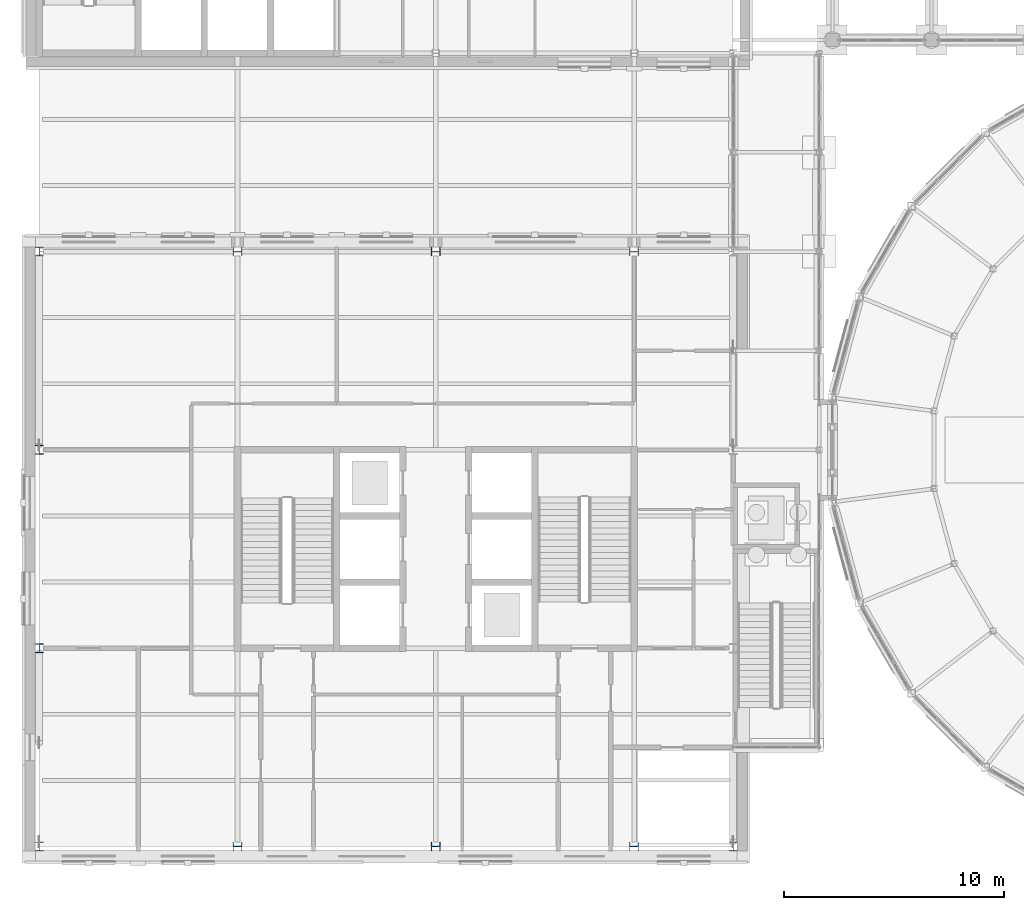
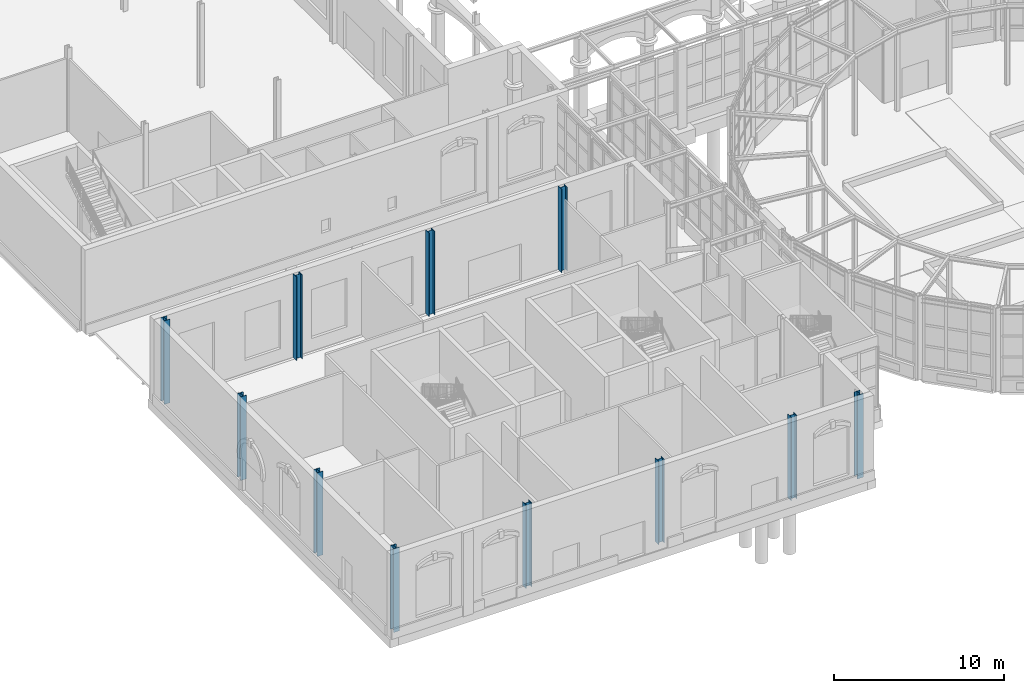
# One storey, part 6 of 106: 11 columns.
"""IFC4 building model written with IfcOpenShell, lengths in metres."""

from ifc_helpers import new_model, si_unit, direction, frame, origin, origin_2d, place, context, subcontext, project, spatial, i_section, extrude, material, material_profile, profile_set, type_object, element, save


model = new_model("IFC4")

# Units and contexts
model_context = context("Model", 3, precision=1e-05, world=origin(), true_north=direction((0.0, 1.0)))
body_context = subcontext(model_context, "Body", "Model", "MODEL_VIEW")
ifc_project = project(units=[si_unit("LENGTHUNIT", "METRE"), si_unit("AREAUNIT", "SQUARE_METRE"), si_unit("VOLUMEUNIT", "CUBIC_METRE"), si_unit("PLANEANGLEUNIT", "RADIAN"), si_unit("MASSUNIT", "GRAM", prefix="KILO")], contexts=[model_context])

# Site, building, storey
site_placement = place(None, origin())
site = spatial("IfcSite", under=ifc_project, at=site_placement, CompositionType="ELEMENT")
building_placement = place(site_placement, origin())
building = spatial("IfcBuilding", under=site, at=building_placement, Name="Hortulan Conservatory and Botanical Research Centre", CompositionType="ELEMENT")
storey_placement = place(building_placement, origin())
storey = spatial("IfcBuildingStorey", under=building, at=storey_placement, Name="L00", CompositionType="ELEMENT", Elevation=0.0)

# Columns
ifc_material = material(Name="Steel Grade 300 (AS/NZS 3679.2, plate AS/NZS 3678, 280 MPa minimum yield)", Category="steel")
ifc_material_profile = material_profile(ifc_material, i_section(OverallWidth=0.39990234375, OverallDepth=0.422119140625, WebThickness=0.028076171875, FlangeThickness=0.035888671875, at=origin_2d()), Name="400WC303")
ifc_profile_set = profile_set([ifc_material_profile], Name="Steel Grade 300 (AS/NZS 3679.2, plate AS/NZS 3678, 280 MPa minimum yield)")
column_type = type_object("IfcColumnType", Name="Tower Column 400WC303", PredefinedType="COLUMN", material=ifc_profile_set)
for number, where, z_axis, x_axis, name in (
    (1, (0.0, 0.0, 0.0), (0.0, 0.0, 1.0), (1.0, 0.0, 0.0), "400WC303 column"),
    (2, (0.0, 9.0, 0.0), (0.0, 0.0, 1.0), (1.0, 0.0, 0.0), "400WC303 column"),
    (3, (0.0, 18.0, 0.0), (0.0, 0.0, 1.0), (1.0, 0.0, 0.0), "400WC303 column"),
    (4, (0.0, 27.0, 0.0), (0.0, 0.0, 1.0), (1.0, 0.0, 0.0), "400WC303 column"),
    (5, (9.0, 0.0, 0.0), (0.0, 0.0, 1.0), (0.0, 1.0, 0.0), "400WC303 column"),
    (6, (9.0, 27.0, 0.0), (0.0, 0.0, 1.0), (0.0, 1.0, 0.0), "400WC303 column"),
    (7, (18.0, 0.0, 0.0), (0.0, 0.0, 1.0), (0.0, 1.0, 0.0), "400WC303 column"),
    (8, (18.0, 27.0, 0.0), (0.0, 0.0, 1.0), (0.0, 1.0, 0.0), "400WC303 column"),
    (9, (27.0, 0.0, 0.0), (0.0, 0.0, 1.0), (0.0, 1.0, 0.0), "400WC303 column"),
    (10, (27.0, 27.0, 0.0), (0.0, 0.0, 1.0), (0.0, 1.0, 0.0), "400WC303 column"),
    (11, (31.5, 0.0, 0.0), (0.0, 0.0, 1.0), (1.0, 0.0, 0.0), "400WC303 column"),
):
    element("IfcColumn", number, at=place(storey_placement, frame(where, z_axis=z_axis, x_axis=x_axis)), inside=storey, type_object=column_type, Name=name, PredefinedType="COLUMN", context=body_context, shape_type="SweptSolid", body=[
        extrude(i_section(OverallWidth=0.39990234375, OverallDepth=0.422119140625, WebThickness=0.028076171875, FlangeThickness=0.035888671875, at=origin_2d()), origin(), (0.0, 0.0, 1.0), 6.0),
    ])

save(model, "model.ifc")
